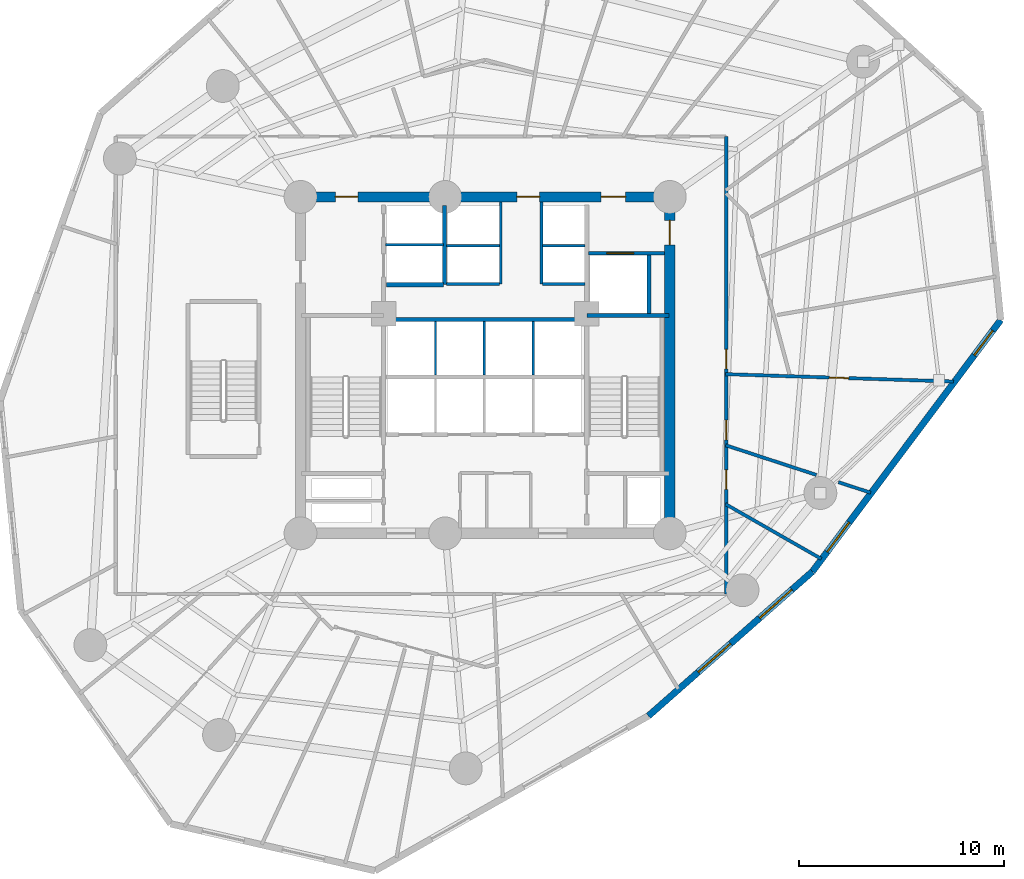
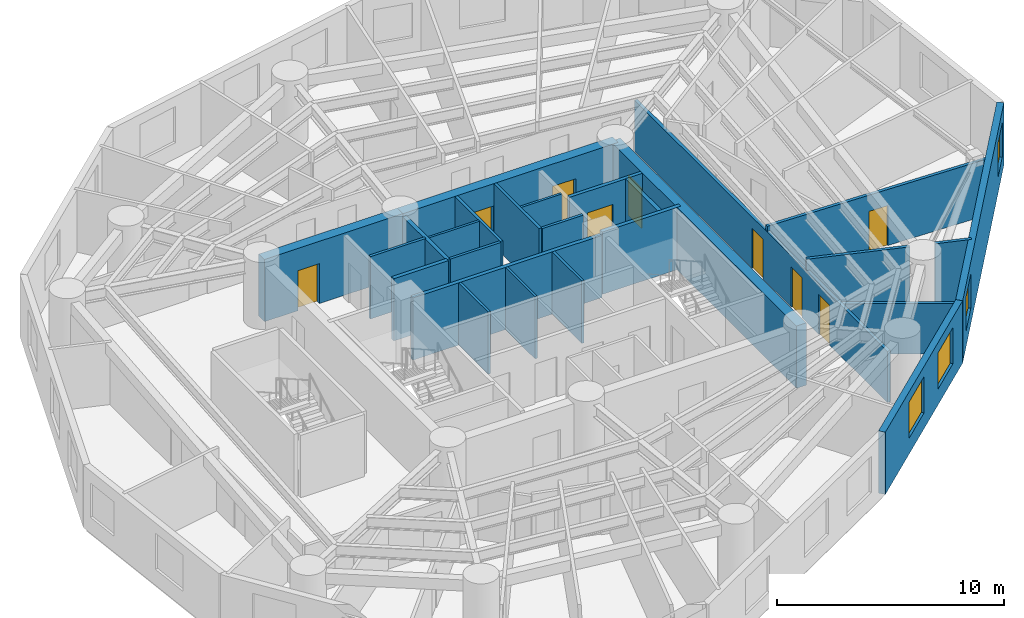
# One storey, part 5 of 8: 26 walls, 9 doors, 4 windows, 13 openings.
"""IFC4 building model written with IfcOpenShell, lengths in metres."""

from ifc_helpers import new_model, si_unit, direction, frame, frame_2d, origin, origin_with_axes, place, context, subcontext, project, spatial, rectangle, extrude, source, transform, mapped, material, layer, layer_set, type_object, element, fill, save


model = new_model("IFC4")

# Units and contexts
model_context = context("Model", 3, precision=1e-05, world=origin(), true_north=direction((0.0, 1.0)))
body_context = subcontext(model_context, "Body", "Model", "MODEL_VIEW")
ifc_project = project(units=[si_unit("LENGTHUNIT", "METRE"), si_unit("AREAUNIT", "SQUARE_METRE"), si_unit("VOLUMEUNIT", "CUBIC_METRE"), si_unit("PLANEANGLEUNIT", "RADIAN"), si_unit("MASSUNIT", "GRAM", prefix="KILO")], contexts=[model_context])

# Site, building, storey
site_placement = place(None, origin())
site = spatial("IfcSite", under=ifc_project, at=site_placement, CompositionType="ELEMENT")
building_placement = place(site_placement, origin())
building = spatial("IfcBuilding", under=site, at=building_placement, Name="Karkom Vertical University and Central Library", CompositionType="ELEMENT")
storey_placement = place(building_placement, frame((0.0, 0.0, 62.5)))
storey = spatial("IfcBuildingStorey", under=building, at=storey_placement, Name="L16", CompositionType="ELEMENT", Elevation=62.5)

# Wall, openings, windows
ifc_material_1 = material(Name="Brick-faced precast concrete C45/55", Category="masonry")
ifc_layer_1 = layer(ifc_material_1, 0.320068359375)
ifc_layer_set_1 = layer_set([ifc_layer_1], Name="Brick-faced precast concrete C45/55")
wall_type_1 = type_object("IfcWallType", Name="ENV-WL-BRK-320", PredefinedType="SOLIDWALL", material=ifc_layer_set_1)
wall_1_placement = place(storey_placement, frame((36.458984375, 9.400146484375, 0.0), z_axis=(0.0, 0.0, 1.0), x_axis=(0.750582546648, 0.660776695009, 0.0)))
wall_1 = element("IfcWall", 1, at=wall_1_placement, inside=storey, type_object=wall_type_1, Name="Level 16 Brick-Faced Precast Facade Wall 07", PredefinedType="SOLIDWALL", context=body_context, shape_type="SweptSolid", body=[
    extrude(rectangle(XDim=10.651123046875, YDim=0.320068359375, at=frame_2d((5.32568359375, 0.0))), origin(), (0.0, 0.0, 1.0), 3.35009765625),
])
opening_1_placement = place(wall_1_placement, frame((3.233642578125, 0.0, 0.85009765625)))
opening_1 = element("IfcOpeningElement", 2, at=opening_1_placement, cuts=wall_1, Name="Opening WN-03", PredefinedType="OPENING", context=body_context, shape_type="SweptSolid", body=[
    extrude(rectangle(XDim=2.10009765625, YDim=1.949951171875, at=frame_2d((1.050048828125, 0.97509765625))), frame((0.0, 0.169921875, 0.0), z_axis=(0.0, -1.0, 0.0), x_axis=(1.0, 0.0, 0.0)), (0.0, 0.0, 1.0), 0.340087890625),
])
opening_2_placement = place(wall_1_placement, frame((7.22509765625, 0.0, 0.85009765625)))
opening_2 = element("IfcOpeningElement", 3, at=opening_2_placement, cuts=wall_1, Name="Opening WN-03", PredefinedType="OPENING", context=body_context, shape_type="SweptSolid", body=[
    extrude(rectangle(XDim=2.10009765625, YDim=1.949951171875, at=frame_2d((1.050048828125, 0.97509765625))), frame((0.0, 0.169921875, 0.0), z_axis=(0.0, -1.0, 0.0), x_axis=(1.0, 0.0, 0.0)), (0.0, 0.0, 1.0), 0.340087890625),
])
ifc_material_2 = material(Name="Aluminium thermal-break frame with solar-control IGU", Category="aluminium")
window_type_1 = type_object("IfcWindowType", Name="ENV-WIN-WN-03", PartitioningType="SINGLE_PANEL", PredefinedType="WINDOW", material=ifc_material_2)
shared_shape_1 = source(origin_with_axes(), body_context, "Body", "SweptSolid", [
    extrude(rectangle(XDim=2.10009765625, YDim=1.949951171875, at=frame_2d((1.050048828125, 0.97509765625))), frame((0.0, 0.030029296875, 0.0), z_axis=(0.0, -1.0, 0.0), x_axis=(1.0, 0.0, 0.0)), (0.0, 0.0, 1.0), 0.06005859375),
])
window_1_placement = place(opening_1_placement, origin())
window_1 = element("IfcWindow", 4, at=window_1_placement, inside=storey, type_object=window_type_1, Name="Level 16 Punched Window 7.1", OverallHeight=1.949951171875, OverallWidth=2.10009765625, PartitioningType="SINGLE_PANEL", PredefinedType="WINDOW", context=body_context, shape_type="MappedRepresentation", body=[
    mapped(shared_shape_1, transform((0.0, 0.0, 0.0), scale=1.0)),
])
fill(opening_1, window_1)
window_2_placement = place(opening_2_placement, origin())
window_2 = element("IfcWindow", 5, at=window_2_placement, inside=storey, type_object=window_type_1, Name="Level 16 Punched Window 7.2", OverallHeight=1.949951171875, OverallWidth=2.10009765625, PartitioningType="SINGLE_PANEL", PredefinedType="WINDOW", context=body_context, shape_type="MappedRepresentation", body=[
    mapped(shared_shape_1, transform((0.0, 0.0, 0.0), scale=1.0)),
])
fill(opening_2, window_2)

wall_2_placement = place(storey_placement, frame((44.45361328125, 16.438232421875, 0.0), z_axis=(0.0, 0.0, 1.0), x_axis=(0.599150494903, 0.800636424638, 0.0)))
wall_2 = element("IfcWall", 6, at=wall_2_placement, inside=storey, type_object=wall_type_1, Name="Level 16 Brick-Faced Precast Facade Wall 08", PredefinedType="SOLIDWALL", context=body_context, shape_type="SweptSolid", body=[
    extrude(rectangle(XDim=15.318359375, YDim=0.320068359375, at=frame_2d((7.6591796875, 0.0))), origin(), (0.0, 0.0, 1.0), 3.35009765625),
])
opening_3_placement = place(wall_2_placement, frame((1.1943359375, 0.0, 0.85009765625)))
opening_3 = element("IfcOpeningElement", 7, at=opening_3_placement, cuts=wall_2, Name="Opening WN-04", PredefinedType="OPENING", context=body_context, shape_type="SweptSolid", body=[
    extrude(rectangle(XDim=1.800048828125, YDim=1.85009765625, at=frame_2d((0.89990234375, 0.925048828125))), frame((0.0, 0.169921875, 0.0), z_axis=(0.0, -1.0, 0.0), x_axis=(1.0, 0.0, 0.0)), (0.0, 0.0, 1.0), 0.340087890625),
])
opening_4_placement = place(wall_2_placement, frame((13.1708984375, 0.0, 0.85009765625)))
opening_4 = element("IfcOpeningElement", 8, at=opening_4_placement, cuts=wall_2, Name="Opening WN-05", PredefinedType="OPENING", context=body_context, shape_type="SweptSolid", body=[
    extrude(rectangle(XDim=1.5, YDim=1.85009765625, at=frame_2d((0.75, 0.925048828125))), frame((0.0, 0.169921875, 0.0), z_axis=(0.0, -1.0, 0.0), x_axis=(1.0, 0.0, 0.0)), (0.0, 0.0, 1.0), 0.340087890625),
])
window_type_2 = type_object("IfcWindowType", Name="ENV-WIN-WN-05", PartitioningType="SINGLE_PANEL", PredefinedType="WINDOW", material=ifc_material_2)
shared_shape_2 = source(origin_with_axes(), body_context, "Body", "SweptSolid", [
    extrude(rectangle(XDim=1.5, YDim=1.85009765625, at=frame_2d((0.75, 0.925048828125))), frame((0.0, 0.030029296875, 0.0), z_axis=(0.0, -1.0, 0.0), x_axis=(1.0, 0.0, 0.0)), (0.0, 0.0, 1.0), 0.06005859375),
])
window_3_placement = place(opening_4_placement, origin())
window_3 = element("IfcWindow", 9, at=window_3_placement, inside=storey, type_object=window_type_2, Name="Level 16 Punched Window 8.2", OverallHeight=1.85009765625, OverallWidth=1.5, PartitioningType="SINGLE_PANEL", PredefinedType="WINDOW", context=body_context, shape_type="MappedRepresentation", body=[
    mapped(shared_shape_2, transform((0.0, 0.0, 0.0), scale=1.0)),
])
fill(opening_4, window_3)
window_type_3 = type_object("IfcWindowType", Name="ENV-WIN-WN-04", PartitioningType="SINGLE_PANEL", PredefinedType="WINDOW", material=ifc_material_2)
shared_shape_3 = source(origin_with_axes(), body_context, "Body", "SweptSolid", [
    extrude(rectangle(XDim=1.800048828125, YDim=1.85009765625, at=frame_2d((0.89990234375, 0.925048828125))), frame((0.0, 0.030029296875, 0.0), z_axis=(0.0, -1.0, 0.0), x_axis=(1.0, 0.0, 0.0)), (0.0, 0.0, 1.0), 0.06005859375),
])
window_4_placement = place(opening_3_placement, origin())
window_4 = element("IfcWindow", 10, at=window_4_placement, inside=storey, type_object=window_type_3, Name="Level 16 Punched Window 8.1", OverallHeight=1.85009765625, OverallWidth=1.800048828125, PartitioningType="SINGLE_PANEL", PredefinedType="WINDOW", context=body_context, shape_type="MappedRepresentation", body=[
    mapped(shared_shape_3, transform((0.0, 0.0, 0.0), scale=1.0)),
])
fill(opening_3, window_4)

# Wall, openings, doors
ifc_material_3 = material(Name="Insulated metal-stud drywall 160mm", Category="gypsum")
ifc_layer_2 = layer(ifc_material_3, 0.159912109375)
ifc_layer_set_2 = layer_set([ifc_layer_2], Name="Insulated metal-stud drywall 160mm")
wall_type_2 = type_object("IfcWallType", Name="INT-WL-COR-160", PredefinedType="PARTITIONING", material=ifc_layer_set_2)
wall_3_placement = place(storey_placement, frame((40.25, 37.64990234375, 0.0), z_axis=(0.0, 0.0, 1.0), x_axis=(0.0, -1.0, 0.0)))
wall_3 = element("IfcWall", 11, at=wall_3_placement, inside=storey, type_object=wall_type_2, Name="Level 16 Interior Partition Wall L16-CORW-CW-004", PredefinedType="PARTITIONING", context=body_context, shape_type="SweptSolid", body=[
    extrude(rectangle(XDim=22.2998046875, YDim=0.159912109375, at=frame_2d((11.14990234375, 0.0))), origin(), (0.0, 0.0, 1.0), 2.75),
])
opening_5_placement = place(wall_3_placement, frame((16.25, 0.0, 0.0)))
opening_5 = element("IfcOpeningElement", 12, at=opening_5_placement, cuts=wall_3, Name="Opening D-RM1", PredefinedType="OPENING", context=body_context, shape_type="SweptSolid", body=[
    extrude(rectangle(XDim=0.949951171875, YDim=2.14990234375, at=frame_2d((0.47509765625, 1.074951171875))), frame((0.0, 0.08984375, 0.0), z_axis=(0.0, -1.0, 0.0), x_axis=(1.0, 0.0, 0.0)), (0.0, 0.0, 1.0), 0.179931640625),
])
opening_6_placement = place(wall_3_placement, frame((13.830078125, 0.0, 0.0)))
opening_6 = element("IfcOpeningElement", 13, at=opening_6_placement, cuts=wall_3, Name="Opening FD-RM2", PredefinedType="OPENING", context=body_context, shape_type="SweptSolid", body=[
    extrude(rectangle(XDim=0.9599609375, YDim=2.14990234375, at=frame_2d((0.47998046875, 1.074951171875))), frame((0.0, 0.08984375, 0.0), z_axis=(0.0, -1.0, 0.0), x_axis=(1.0, 0.0, 0.0)), (0.0, 0.0, 1.0), 0.179931640625),
])
opening_7_placement = place(wall_3_placement, frame((10.385009765625, 0.0, 0.0)))
opening_7 = element("IfcOpeningElement", 14, at=opening_7_placement, cuts=wall_3, Name="Opening D-RM1", PredefinedType="OPENING", context=body_context, shape_type="SweptSolid", body=[
    extrude(rectangle(XDim=0.949951171875, YDim=2.14990234375, at=frame_2d((0.47509765625, 1.074951171875))), frame((0.0, 0.08984375, 0.0), z_axis=(0.0, -1.0, 0.0), x_axis=(1.0, 0.0, 0.0)), (0.0, 0.0, 1.0), 0.179931640625),
])
ifc_material_4 = material(Name="Fire-rated oak veneer door", Category="wood")
door_type_1 = type_object("IfcDoorType", Name="INT-DR-FRM2", OperationType="NOTDEFINED", PredefinedType="DOOR", material=ifc_material_4)
shared_shape_4 = source(origin_with_axes(), body_context, "Body", "SweptSolid", [
    extrude(rectangle(XDim=0.9599609375, YDim=2.14990234375, at=frame_2d((0.47998046875, 1.074951171875))), frame((0.0, 0.02490234375, 0.0), z_axis=(0.0, -1.0, 0.0), x_axis=(1.0, 0.0, 0.0)), (0.0, 0.0, 1.0), 0.050048828125),
])
door_1_placement = place(opening_6_placement, origin())
door_1 = element("IfcDoor", 15, at=door_1_placement, inside=storey, type_object=door_type_1, Name="Level 16 Room Entry Door 120", OperationType="SINGLE_SWING_LEFT", OverallHeight=2.14990234375, OverallWidth=0.9599609375, PredefinedType="DOOR", context=body_context, shape_type="MappedRepresentation", body=[
    mapped(shared_shape_4, transform((0.0, 0.0, 0.0), scale=1.0)),
])
fill(opening_6, door_1)
ifc_material_5 = material(Name="Solid-core oak veneer door", Category="wood")
door_type_2 = type_object("IfcDoorType", Name="INT-DR-RM1", OperationType="NOTDEFINED", PredefinedType="DOOR", material=ifc_material_5)
shared_shape_5 = source(origin_with_axes(), body_context, "Body", "SweptSolid", [
    extrude(rectangle(XDim=0.949951171875, YDim=2.14990234375, at=frame_2d((0.47509765625, 1.074951171875))), frame((0.0, 0.02490234375, 0.0), z_axis=(0.0, -1.0, 0.0), x_axis=(1.0, 0.0, 0.0)), (0.0, 0.0, 1.0), 0.050048828125),
])
door_2_placement = place(opening_5_placement, origin())
door_2 = element("IfcDoor", 16, at=door_2_placement, inside=storey, type_object=door_type_2, Name="Level 16 Room Entry Door 110", OperationType="SINGLE_SWING_RIGHT", OverallHeight=2.14990234375, OverallWidth=0.949951171875, PredefinedType="DOOR", context=body_context, shape_type="MappedRepresentation", body=[
    mapped(shared_shape_5, transform((0.0, 0.0, 0.0), scale=1.0)),
])
fill(opening_5, door_2)
door_3_placement = place(opening_7_placement, origin())
door_3 = element("IfcDoor", 17, at=door_3_placement, inside=storey, type_object=door_type_2, Name="Level 16 Room Entry Door 140", OperationType="SINGLE_SWING_RIGHT", OverallHeight=2.14990234375, OverallWidth=0.949951171875, PredefinedType="DOOR", context=body_context, shape_type="MappedRepresentation", body=[
    mapped(shared_shape_5, transform((0.0, 0.0, 0.0), scale=1.0)),
])
fill(opening_7, door_3)

# Wall, opening, door
wall_4_placement = place(storey_placement, frame((40.205078125, 26.061279296875, 0.0), z_axis=(0.0, 0.0, 1.0), x_axis=(0.999476714484, -0.032346517653, 0.0)))
wall_4 = element("IfcWall", 18, at=wall_4_placement, inside=storey, type_object=wall_type_2, Name="Level 16 Interior Partition Wall L16-PW-023", PredefinedType="PARTITIONING", context=body_context, shape_type="SweptSolid", body=[
    extrude(rectangle(XDim=11.140380859375, YDim=0.159912109375, at=frame_2d((5.5703125, 0.0))), origin(), (0.0, 0.0, 1.0), 3.02001953125),
])
opening_8_placement = place(wall_4_placement, frame((5.0703125, 0.0, 0.0)))
opening_8 = element("IfcOpeningElement", 19, at=opening_8_placement, cuts=wall_4, Name="Opening D-RM1", PredefinedType="OPENING", context=body_context, shape_type="SweptSolid", body=[
    extrude(rectangle(XDim=0.949951171875, YDim=2.14990234375, at=frame_2d((0.47509765625, 1.074951171875))), frame((0.0, 0.08984375, 0.0), z_axis=(0.0, -1.0, 0.0), x_axis=(1.0, 0.0, 0.0)), (0.0, 0.0, 1.0), 0.179931640625),
])
door_4_placement = place(opening_8_placement, origin())
door_4 = element("IfcDoor", 20, at=door_4_placement, inside=storey, type_object=door_type_2, Name="Level 16 Room Entry Door 130", OperationType="SINGLE_SWING_LEFT", OverallHeight=2.14990234375, OverallWidth=0.949951171875, PredefinedType="DOOR", context=body_context, shape_type="MappedRepresentation", body=[
    mapped(shared_shape_5, transform((0.0, 0.0, 0.0), scale=1.0)),
])
fill(opening_8, door_4)

# Walls
wall_5_placement = place(storey_placement, frame((40.2109375, 19.7314453125, 0.0), z_axis=(0.0, 0.0, 1.0), x_axis=(0.868019857331, -0.49652948279, 0.0)))
element("IfcWall", 21, at=wall_5_placement, inside=storey, type_object=wall_type_2, Name="Level 16 Interior Partition Wall L16-PW-019", PredefinedType="PARTITIONING", context=body_context, shape_type="SweptSolid", body=[
    extrude(rectangle(XDim=5.385009765625, YDim=0.159912109375, at=frame_2d((2.6923828125, 0.0))), origin(), (0.0, 0.0, 1.0), 2.699951171875),
])
wall_6_placement = place(storey_placement, frame((40.221435546875, 22.597412109375, 0.0), z_axis=(0.0, 0.0, 1.0), x_axis=(0.950315709019, -0.311287733764, 0.0)))
element("IfcWall", 22, at=wall_6_placement, inside=storey, type_object=wall_type_2, Name="Level 16 Interior Partition Wall L16-PW-020", PredefinedType="PARTITIONING", context=body_context, shape_type="SweptSolid", body=[
    extrude(rectangle(XDim=4.659423828125, YDim=0.159912109375, at=frame_2d((2.32958984375, 0.0))), origin(), (0.0, 0.0, 1.0), 3.35009765625),
])
wall_7_placement = place(storey_placement, frame((45.720947265625, 20.7958984375, 0.0), z_axis=(0.0, 0.0, 1.0), x_axis=(0.950366200592, -0.311133548129, 0.0)))
element("IfcWall", 23, at=wall_7_placement, inside=storey, type_object=wall_type_2, Name="Level 16 Interior Partition Wall L16-PW-022", PredefinedType="PARTITIONING", context=body_context, shape_type="SweptSolid", body=[
    extrude(rectangle(XDim=1.65478515625, YDim=0.159912109375, at=frame_2d((0.827392578125, 0.0))), origin(), (0.0, 0.0, 1.0), 3.35009765625),
])
ifc_material_6 = material(Name="Moisture-resistant drywall 120mm", Category="gypsum")
ifc_layer_3 = layer(ifc_material_6, 0.1201171875)
ifc_layer_set_3 = layer_set([ifc_layer_3], Name="Moisture-resistant drywall 120mm")
wall_type_3 = type_object("IfcWallType", Name="INT-WL-INT-120H", PredefinedType="PARTITIONING", material=ifc_layer_set_3)
for number, where, z_axis, x_axis, name in (
    (24, (26.080078125, 26.02001953125, 0.0), (0.0, 0.0, 1.0), (0.0, 1.0, 0.0), "Level 16 Interior Partition Wall L16-CW-PM-DIV1"),
    (25, (28.4599609375, 26.02001953125, 0.0), (0.0, 0.0, 1.0), (0.0, 1.0, 0.0), "Level 16 Interior Partition Wall L16-CW-PM-DIV2"),
    (26, (30.840087890625, 26.02001953125, 0.0), (0.0, 0.0, 1.0), (0.0, 1.0, 0.0), "Level 16 Interior Partition Wall L16-CW-PM-DIV3"),
):
    element("IfcWall", number, at=place(storey_placement, frame(where, z_axis=z_axis, x_axis=x_axis)), inside=storey, type_object=wall_type_3, Name=name, PredefinedType="PARTITIONING", context=body_context, shape_type="SweptSolid", body=[
        extrude(rectangle(XDim=2.60009765625, YDim=0.1201171875, at=frame_2d((1.300048828125, 0.0))), origin(), (0.0, 0.0, 1.0), 3.35009765625),
    ])
wall_8_placement = place(storey_placement, frame((26.6201171875, 32.320068359375, 0.0), z_axis=(0.0, 0.0, 1.0), x_axis=(1.0, 0.0, 0.0)))
element("IfcWall", 27, at=wall_8_placement, inside=storey, type_object=wall_type_3, Name="Level 16 Interior Partition Wall L16-CW-PH-MW", PredefinedType="PARTITIONING", context=body_context, shape_type="SweptSolid", body=[
    extrude(rectangle(XDim=2.579833984375, YDim=0.1201171875, at=frame_2d((1.2900390625, 0.0))), origin(), (0.0, 0.0, 1.0), 3.35009765625),
])
wall_9_placement = place(storey_placement, frame((31.300048828125, 32.320068359375, 0.0), z_axis=(0.0, 0.0, 1.0), x_axis=(1.0, 0.0, 0.0)))
element("IfcWall", 28, at=wall_9_placement, inside=storey, type_object=wall_type_3, Name="Level 16 Interior Partition Wall L16-CW-PH-ME", PredefinedType="PARTITIONING", context=body_context, shape_type="SweptSolid", body=[
    extrude(rectangle(XDim=2.074951171875, YDim=0.1201171875, at=frame_2d((1.03759765625, 0.0))), origin(), (0.0, 0.0, 1.0), 3.35009765625),
])
ifc_material_7 = material(Name="Metal-stud gypsum partition 140mm", Category="gypsum")
ifc_layer_4 = layer(ifc_material_7, 0.139892578125)
ifc_layer_set_4 = layer_set([ifc_layer_4], Name="Metal-stud gypsum partition 140mm")
wall_type_4 = type_object("IfcWallType", Name="INT-WL-SUB-140H", PredefinedType="PARTITIONING", material=ifc_layer_set_4)
for number, where, z_axis, x_axis, name in (
    (29, (29.260009765625, 30.449951171875, 0.0), (0.0, 0.0, 1.0), (0.0, 1.0, 0.0), "Level 16 Interior Partition Wall L16-CW-PH-W"),
    (30, (31.239990234375, 30.449951171875, 0.0), (0.0, 0.0, 1.0), (0.0, 1.0, 0.0), "Level 16 Interior Partition Wall L16-CW-PH-E"),
):
    element("IfcWall", number, at=place(storey_placement, frame(where, z_axis=z_axis, x_axis=x_axis)), inside=storey, type_object=wall_type_4, Name=name, PredefinedType="PARTITIONING", context=body_context, shape_type="SweptSolid", body=[
        extrude(rectangle(XDim=3.9931640625, YDim=0.139892578125, at=frame_2d((1.99658203125, 0.0))), origin(), (0.0, 0.0, 1.0), 3.35009765625),
    ])
wall_10_placement = place(storey_placement, frame((26.6201171875, 30.449951171875, 0.0), z_axis=(0.0, 0.0, 1.0), x_axis=(1.0, 0.0, 0.0)))
element("IfcWall", 31, at=wall_10_placement, inside=storey, type_object=wall_type_4, Name="Level 16 Interior Partition Wall L16-CW-PH-S1", PredefinedType="PARTITIONING", context=body_context, shape_type="SweptSolid", body=[
    extrude(rectangle(XDim=2.579833984375, YDim=0.139892578125, at=frame_2d((1.2900390625, 0.0))), origin(), (0.0, 0.0, 1.0), 3.35009765625),
])
wall_11_placement = place(storey_placement, frame((31.300048828125, 30.449951171875, 0.0), z_axis=(0.0, 0.0, 1.0), x_axis=(1.0, 0.0, 0.0)))
element("IfcWall", 32, at=wall_11_placement, inside=storey, type_object=wall_type_4, Name="Level 16 Interior Partition Wall L16-CW-PH-S2", PredefinedType="PARTITIONING", context=body_context, shape_type="SweptSolid", body=[
    extrude(rectangle(XDim=2.074951171875, YDim=0.139892578125, at=frame_2d((1.03759765625, 0.0))), origin(), (0.0, 0.0, 1.0), 3.35009765625),
])
ifc_layer_5 = layer(ifc_material_7, 0.139892578125)
ifc_layer_set_5 = layer_set([ifc_layer_5], Name="Metal-stud gypsum partition 140mm")
wall_type_5 = type_object("IfcWallType", Name="INT-WL-SUB-140X", PredefinedType="PARTITIONING", material=ifc_layer_set_5)
wall_12_placement = place(storey_placement, frame((23.652099609375, 32.3701171875, 0.0), z_axis=(0.0, 0.0, 1.0), x_axis=(1.0, 0.0, 0.0)))
element("IfcWall", 33, at=wall_12_placement, inside=storey, type_object=wall_type_5, Name="Level 16 Interior Partition Wall L16-CW-FFL-M", PredefinedType="PARTITIONING", context=body_context, shape_type="SweptSolid", body=[
    extrude(rectangle(XDim=2.827880859375, YDim=0.139892578125, at=frame_2d((1.4140625, 0.0))), origin(), (0.0, 0.0, 1.0), 3.35009765625),
])

# Wall, opening, door
ifc_material_8 = material(Name="Twin-stud acoustic drywall 180mm", Category="gypsum")
ifc_layer_6 = layer(ifc_material_8, 0.179931640625)
ifc_layer_set_6 = layer_set([ifc_layer_6], Name="Twin-stud acoustic drywall 180mm")
wall_type_6 = type_object("IfcWallType", Name="INT-WL-TEN-180F", PredefinedType="PARTITIONING", material=ifc_layer_set_6)
wall_13_placement = place(storey_placement, frame((33.534912109375, 31.949951171875, 0.0), z_axis=(0.0, 0.0, 1.0), x_axis=(1.0, 0.0, 0.0)))
wall_13 = element("IfcWall", 34, at=wall_13_placement, inside=storey, type_object=wall_type_6, Name="Level 16 Interior Partition Wall L16-CW-SVL-N", PredefinedType="PARTITIONING", context=body_context, shape_type="SweptSolid", body=[
    extrude(rectangle(XDim=3.708740234375, YDim=0.179931640625, at=frame_2d((1.8544921875, 0.0))), origin(), (0.0, 0.0, 1.0), 3.35009765625),
])
opening_9_placement = place(wall_13_placement, frame((0.89990234375, 0.0, 0.0)))
opening_9 = element("IfcOpeningElement", 35, at=opening_9_placement, cuts=wall_13, Name="Opening LD-SV1", PredefinedType="OPENING", context=body_context, shape_type="SweptSolid", body=[
    extrude(rectangle(XDim=1.300048828125, YDim=2.199951171875, at=frame_2d((0.64990234375, 1.10009765625))), frame((0.0, 0.10009765625, 0.0), z_axis=(0.0, -1.0, 0.0), x_axis=(1.0, 0.0, 0.0)), (0.0, 0.0, 1.0), 0.199951171875),
])
ifc_material_9 = material(Name="Brushed stainless-steel landing door", Category="steel")
door_type_3 = type_object("IfcDoorType", Name="INT-DR-LD-SV1", OperationType="SLIDING_TO_LEFT", PredefinedType="DOOR", material=ifc_material_9)
shared_shape_6 = source(origin_with_axes(), body_context, "Body", "SweptSolid", [
    extrude(rectangle(XDim=1.300048828125, YDim=2.199951171875, at=frame_2d((0.64990234375, 1.10009765625))), frame((0.0, 0.02490234375, 0.0), z_axis=(0.0, -1.0, 0.0), x_axis=(1.0, 0.0, 0.0)), (0.0, 0.0, 1.0), 0.050048828125),
])
door_5_placement = place(opening_9_placement, origin())
door_5 = element("IfcDoor", 36, at=door_5_placement, inside=storey, type_object=door_type_3, Name="Level 16 Service Lift Landing Door LD-SV1", OperationType="SLIDING_TO_LEFT", OverallHeight=2.199951171875, OverallWidth=1.300048828125, PredefinedType="DOOR", context=body_context, shape_type="MappedRepresentation", body=[
    mapped(shared_shape_6, transform((0.0, 0.0, 0.0), scale=1.0)),
])
fill(opening_9, door_5)

ifc_material_10 = material(Name="Concrete C50/60", Category="concrete")
ifc_layer_7 = layer(ifc_material_10, 0.5)
ifc_layer_set_7 = layer_set([ifc_layer_7], Name="Concrete C50/60")
wall_type_7 = type_object("IfcWallType", Name="STR-WL-CW-500", PredefinedType="SHEAR", material=ifc_layer_set_7)
wall_14_placement = place(storey_placement, frame((37.5, 18.300048828125, 0.0), z_axis=(0.0, 0.0, 1.0), x_axis=(0.0, 1.0, 0.0)))
wall_14 = element("IfcWall", 37, at=wall_14_placement, inside=storey, type_object=wall_type_7, Name="Level 16 Central Core Shear Wall EW", PredefinedType="SHEAR", context=body_context, shape_type="SweptSolid", body=[
    extrude(rectangle(XDim=16.39990234375, YDim=0.5, at=frame_2d((8.199951171875, 0.0))), origin(), (0.0, 0.0, 1.0), 3.35009765625),
])
opening_10_placement = place(wall_14_placement, frame((14.06005859375, 0.0, 0.0)))
opening_10 = element("IfcOpeningElement", 38, at=opening_10_placement, cuts=wall_14, Name="Opening FD-SUB1", PredefinedType="OPENING", context=body_context, shape_type="SweptSolid", body=[
    extrude(rectangle(XDim=1.199951171875, YDim=2.14990234375, at=frame_2d((0.60009765625, 1.074951171875))), frame((0.0, 0.260009765625, 0.0), z_axis=(0.0, -1.0, 0.0), x_axis=(1.0, 0.0, 0.0)), (0.0, 0.0, 1.0), 0.52001953125),
])
ifc_material_11 = material(Name="Painted steel fire door", Category="steel")
door_type_4 = type_object("IfcDoorType", Name="INT-DR-SUB1", OperationType="NOTDEFINED", PredefinedType="DOOR", material=ifc_material_11)
shared_shape_7 = source(origin_with_axes(), body_context, "Body", "SweptSolid", [
    extrude(rectangle(XDim=1.199951171875, YDim=2.14990234375, at=frame_2d((0.60009765625, 1.074951171875))), frame((0.0, 0.02490234375, 0.0), z_axis=(0.0, -1.0, 0.0), x_axis=(1.0, 0.0, 0.0)), (0.0, 0.0, 1.0), 0.050048828125),
])
door_6_placement = place(opening_10_placement, origin())
door_6 = element("IfcDoor", 39, at=door_6_placement, inside=storey, type_object=door_type_4, Name="Level 16 East Corridor Service Lobby Door", OperationType="SINGLE_SWING_LEFT", OverallHeight=2.14990234375, OverallWidth=1.199951171875, PredefinedType="DOOR", context=body_context, shape_type="MappedRepresentation", body=[
    mapped(shared_shape_7, transform((0.0, 0.0, 0.0), scale=1.0)),
])
fill(opening_10, door_6)

# Wall, openings, doors
wall_15_placement = place(storey_placement, frame((37.5, 34.699951171875, 0.0), z_axis=(0.0, 0.0, 1.0), x_axis=(-1.0, 0.0, 0.0)))
wall_15 = element("IfcWall", 40, at=wall_15_placement, inside=storey, type_object=wall_type_7, Name="Level 16 Central Core Shear Wall NW1", PredefinedType="SHEAR", context=body_context, shape_type="SweptSolid", body=[
    extrude(rectangle(XDim=10.949951171875, YDim=0.5, at=frame_2d((5.47509765625, 0.0))), origin(), (0.0, 0.0, 1.0), 3.35009765625),
])
opening_11_placement = place(wall_15_placement, frame((2.14990234375, 0.0, 0.0)))
opening_11 = element("IfcOpeningElement", 41, at=opening_11_placement, cuts=wall_15, Name="Opening FD-SUB1", PredefinedType="OPENING", context=body_context, shape_type="SweptSolid", body=[
    extrude(rectangle(XDim=1.199951171875, YDim=2.14990234375, at=frame_2d((0.60009765625, 1.074951171875))), frame((0.0, 0.260009765625, 0.0), z_axis=(0.0, -1.0, 0.0), x_axis=(1.0, 0.0, 0.0)), (0.0, 0.0, 1.0), 0.52001953125),
])
opening_12_placement = place(wall_15_placement, frame((6.35009765625, 0.0, 0.0)))
opening_12 = element("IfcOpeningElement", 42, at=opening_12_placement, cuts=wall_15, Name="Opening FD-FFL", PredefinedType="OPENING", context=body_context, shape_type="SweptSolid", body=[
    extrude(rectangle(XDim=1.10009765625, YDim=2.14990234375, at=frame_2d((0.550048828125, 1.074951171875))), frame((0.0, 0.260009765625, 0.0), z_axis=(0.0, -1.0, 0.0), x_axis=(1.0, 0.0, 0.0)), (0.0, 0.0, 1.0), 0.52001953125),
])
ifc_material_12 = material(Name="Painted steel smoke-seal fire door", Category="steel")
door_type_5 = type_object("IfcDoorType", Name="INT-DR-FFL", OperationType="NOTDEFINED", PredefinedType="DOOR", material=ifc_material_12)
shared_shape_8 = source(origin_with_axes(), body_context, "Body", "SweptSolid", [
    extrude(rectangle(XDim=1.10009765625, YDim=2.14990234375, at=frame_2d((0.550048828125, 1.074951171875))), frame((0.0, 0.02490234375, 0.0), z_axis=(0.0, -1.0, 0.0), x_axis=(1.0, 0.0, 0.0)), (0.0, 0.0, 1.0), 0.050048828125),
])
door_7_placement = place(opening_12_placement, origin())
door_7 = element("IfcDoor", 43, at=door_7_placement, inside=storey, type_object=door_type_5, Name="Level 16 North Core Lobby Exit Door", OperationType="SINGLE_SWING_RIGHT", OverallHeight=2.14990234375, OverallWidth=1.10009765625, PredefinedType="DOOR", context=body_context, shape_type="MappedRepresentation", body=[
    mapped(shared_shape_8, transform((0.0, 0.0, 0.0), scale=1.0)),
])
fill(opening_12, door_7)
door_8_placement = place(opening_11_placement, origin())
door_8 = element("IfcDoor", 44, at=door_8_placement, inside=storey, type_object=door_type_4, Name="Level 16 Service Lobby Fire Door", OperationType="SINGLE_SWING_RIGHT", OverallHeight=2.14990234375, OverallWidth=1.199951171875, PredefinedType="DOOR", context=body_context, shape_type="MappedRepresentation", body=[
    mapped(shared_shape_7, transform((0.0, 0.0, 0.0), scale=1.0)),
])
fill(opening_11, door_8)

# Wall, opening, door
wall_16_placement = place(storey_placement, frame((26.550048828125, 34.699951171875, 0.0), z_axis=(0.0, 0.0, 1.0), x_axis=(-1.0, 0.0, 0.0)))
wall_16 = element("IfcWall", 45, at=wall_16_placement, inside=storey, type_object=wall_type_7, Name="Level 16 Central Core Shear Wall NW2", PredefinedType="SHEAR", context=body_context, shape_type="SweptSolid", body=[
    extrude(rectangle(XDim=7.050048828125, YDim=0.5, at=frame_2d((3.52490234375, 0.0))), origin(), (0.0, 0.0, 1.0), 3.35009765625),
])
opening_13_placement = place(wall_16_placement, frame((4.25, 0.0, 0.0)))
opening_13 = element("IfcOpeningElement", 46, at=opening_13_placement, cuts=wall_16, Name="Opening FD-FFL", PredefinedType="OPENING", context=body_context, shape_type="SweptSolid", body=[
    extrude(rectangle(XDim=1.10009765625, YDim=2.14990234375, at=frame_2d((0.550048828125, 1.074951171875))), frame((0.0, 0.260009765625, 0.0), z_axis=(0.0, -1.0, 0.0), x_axis=(1.0, 0.0, 0.0)), (0.0, 0.0, 1.0), 0.52001953125),
])
door_9_placement = place(opening_13_placement, origin())
door_9 = element("IfcDoor", 47, at=door_9_placement, inside=storey, type_object=door_type_5, Name="Level 16 Firefighting Lobby Door", OperationType="SINGLE_SWING_LEFT", OverallHeight=2.14990234375, OverallWidth=1.10009765625, PredefinedType="DOOR", context=body_context, shape_type="MappedRepresentation", body=[
    mapped(shared_shape_8, transform((0.0, 0.0, 0.0), scale=1.0)),
])
fill(opening_13, door_9)

# Walls
ifc_material_13 = material(Name="Concrete C45/55", Category="concrete")
ifc_layer_8 = layer(ifc_material_13, 0.199951171875)
ifc_layer_set_8 = layer_set([ifc_layer_8], Name="Concrete C45/55")
wall_type_8 = type_object("IfcWallType", Name="STR-WL-ST-200", PredefinedType="SHEAR", material=ifc_layer_set_8)
wall_17_placement = place(storey_placement, frame((23.699951171875, 28.719970703125, 0.0), z_axis=(0.0, 0.0, 1.0), x_axis=(1.0, 0.0, 0.0)))
element("IfcWall", 48, at=wall_17_placement, inside=storey, type_object=wall_type_8, Name="Level 16 Core Shaft Wall L16-CW-B2-N", PredefinedType="SHEAR", context=body_context, shape_type="SweptSolid", body=[
    extrude(rectangle(XDim=9.60009765625, YDim=0.199951171875, at=frame_2d((4.800048828125, 0.0))), origin(), (0.0, 0.0, 1.0), 3.35009765625),
])
wall_18_placement = place(storey_placement, frame((33.455078125, 28.925048828125, 0.0), z_axis=(0.0, 0.0, 1.0), x_axis=(1.0, 0.0, 0.0)))
element("IfcWall", 49, at=wall_18_placement, inside=storey, type_object=wall_type_8, Name="Level 16 Core Shaft Wall L16-CW-ST2-N", PredefinedType="SHEAR", context=body_context, shape_type="SweptSolid", body=[
    extrude(rectangle(XDim=3.994873046875, YDim=0.199951171875, at=frame_2d((1.99755859375, 0.0))), origin(), (0.0, 0.0, 1.0), 3.35009765625),
])
wall_19_placement = place(storey_placement, frame((26.52001953125, 30.419921875, 0.0), z_axis=(0.0, 0.0, 1.0), x_axis=(0.0, 1.0, 0.0)))
element("IfcWall", 50, at=wall_19_placement, inside=storey, type_object=wall_type_8, Name="Level 16 Core Shaft Wall L16-CW-FFL-E", PredefinedType="SHEAR", context=body_context, shape_type="SweptSolid", body=[
    extrude(rectangle(XDim=3.860107421875, YDim=0.199951171875, at=frame_2d((1.93017578125, 0.0))), origin(), (0.0, 0.0, 1.0), 3.35009765625),
])
wall_20_placement = place(storey_placement, frame((36.47998046875, 29.02001953125, 0.0), z_axis=(0.0, 0.0, 1.0), x_axis=(0.0, 1.0, 0.0)))
element("IfcWall", 51, at=wall_20_placement, inside=storey, type_object=wall_type_8, Name="Level 16 Core Shaft Wall L16-CW-SVL-E", PredefinedType="SHEAR", context=body_context, shape_type="SweptSolid", body=[
    extrude(rectangle(XDim=2.85986328125, YDim=0.199951171875, at=frame_2d((1.429931640625, 0.0))), origin(), (0.0, 0.0, 1.0), 3.35009765625),
])
wall_21_placement = place(storey_placement, frame((23.699951171875, 30.419921875, 0.0), z_axis=(0.0, 0.0, 1.0), x_axis=(1.0, 0.0, 0.0)))
element("IfcWall", 52, at=wall_21_placement, inside=storey, type_object=wall_type_8, Name="Level 16 Core Shaft Wall L16-CW-FFL-S", PredefinedType="SHEAR", context=body_context, shape_type="SweptSolid", body=[
    extrude(rectangle(XDim=2.780029296875, YDim=0.199951171875, at=frame_2d((1.39013671875, 0.0))), origin(), (0.0, 0.0, 1.0), 3.35009765625),
])

save(model, "model.ifc")
